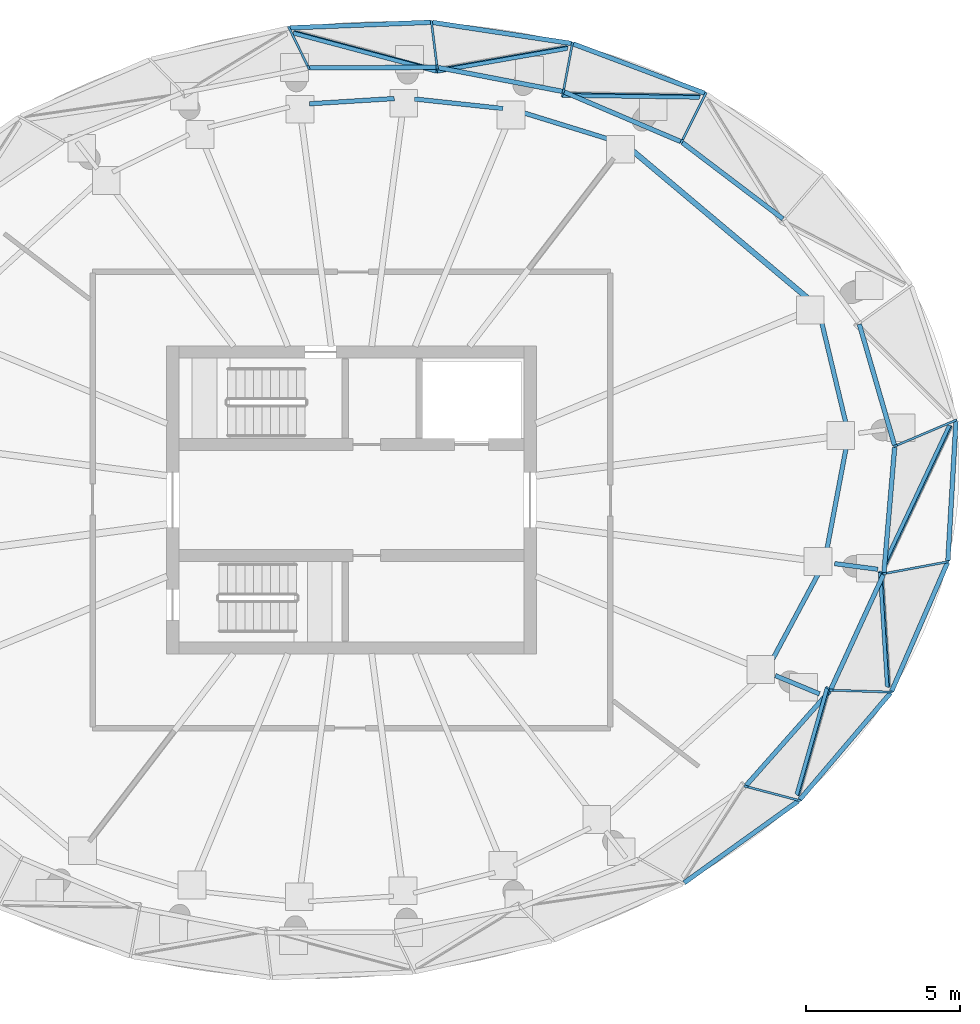
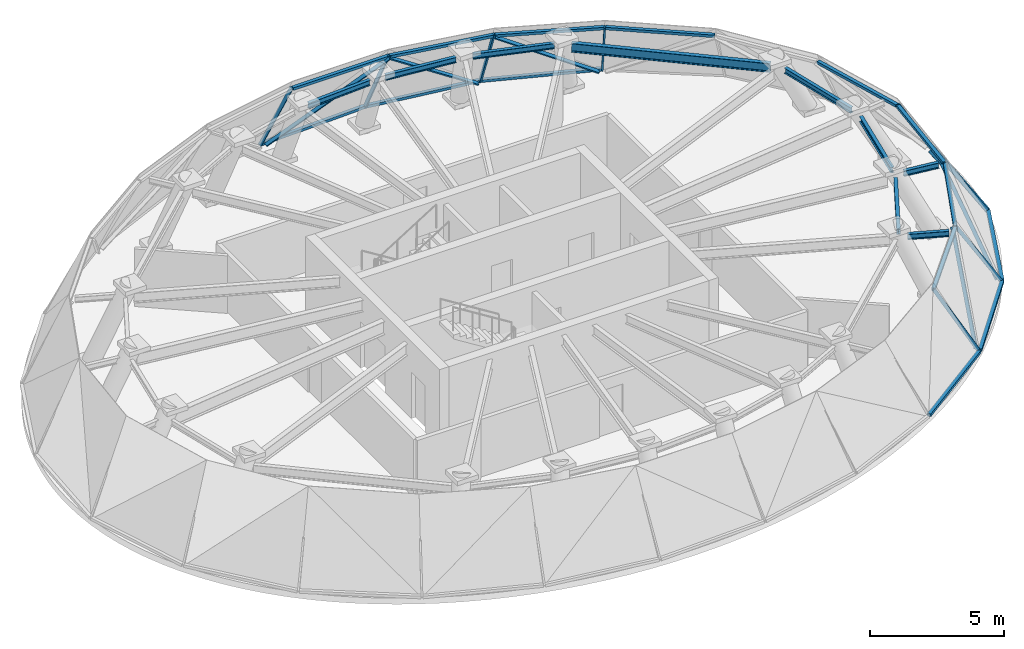
# One storey, part 4 of 9: 29 members, 9 beams, 16 elements without a shape of their own.
"""IFC4 building model written with IfcOpenShell, lengths in metres."""

from ifc_helpers import new_model, si_unit, direction, frame, origin, origin_2d, place, context, subcontext, project, spatial, rectangle, i_section, extrude, source, transform, mapped, material, layer, layer_set, material_profile, profile_set, type_object, element, aggregate, save


model = new_model("IFC4")

# Units and contexts
model_context = context("Model", 3, precision=1e-05, world=origin(), true_north=direction((0.0, 1.0)))
body_context = subcontext(model_context, "Body", "Model", "MODEL_VIEW")
ifc_project = project(units=[si_unit("LENGTHUNIT", "METRE"), si_unit("AREAUNIT", "SQUARE_METRE"), si_unit("VOLUMEUNIT", "CUBIC_METRE"), si_unit("PLANEANGLEUNIT", "RADIAN"), si_unit("MASSUNIT", "GRAM", prefix="KILO")], contexts=[model_context])

# Site, building, storey
site_placement = place(None, origin())
site = spatial("IfcSite", under=ifc_project, at=site_placement, CompositionType="ELEMENT")
building_placement = place(site_placement, origin())
building = spatial("IfcBuilding", under=site, at=building_placement, Name="Spindrift Exchange Tower", CompositionType="ELEMENT")
storey_placement = place(building_placement, frame((0.0, 0.0, 273.10009765625)))
storey = spatial("IfcBuildingStorey", under=building, at=storey_placement, Name="L67", CompositionType="ELEMENT", Elevation=273.10009765625)

# Beams
ifc_material_1 = material(Name="Steel Grade 300", Category="steel")
ifc_material_profile_1 = material_profile(ifc_material_1, i_section(OverallWidth=0.14599609375, OverallDepth=0.251953125, WebThickness=0.006103515625, FlangeThickness=0.008544921875, FilletRadius=0.011962890625, at=origin_2d()), Name="250UB31.4")
ifc_profile_set_1 = profile_set([ifc_material_profile_1], Name="Steel Grade 300")
beam_type_1 = type_object("IfcBeamType", Name="Cantilever Beam 250UB31.4 Steel Grade 300", PredefinedType="BEAM", material=ifc_profile_set_1)
shared_shape_1 = source(origin(), body_context, "Body", "SweptSolid", [
    extrude(i_section(OverallWidth=0.14599609375, OverallDepth=0.251953125, WebThickness=0.006103515625, FlangeThickness=0.008544921875, FilletRadius=0.011962890625, at=origin_2d()), origin(), (0.0, 0.0, 1.0), 1.552978515625),
])
beam_1_placement = place(storey_placement, frame((65.753662109375, 42.302978515625, 3.093994140625), z_axis=(0.923898045671, -0.382638734586, 0.0), x_axis=(0.382638734586, 0.923898045671, 0.0)))
element("IfcBeam", 1, at=beam_1_placement, inside=storey, type_object=beam_type_1, Name="L67 cantilever beam R23T", PredefinedType="BEAM", context=body_context, shape_type="MappedRepresentation", body=[
    mapped(shared_shape_1, transform((0.0, 0.0, 0.0), scale=1.0)),
])
shared_shape_2 = source(origin(), body_context, "Body", "SweptSolid", [
    extrude(i_section(OverallWidth=0.14599609375, OverallDepth=0.251953125, WebThickness=0.006103515625, FlangeThickness=0.008544921875, FilletRadius=0.011962890625, at=origin_2d()), origin(), (0.0, 0.0, 1.0), 1.412841796875),
])
beam_2_placement = place(storey_placement, frame((67.676025390625, 45.936279296875, 3.093994140625), z_axis=(0.991428984311, -0.130646733857, 0.0), x_axis=(0.130646733857, 0.991428984311, 0.0)))
element("IfcBeam", 2, at=beam_2_placement, inside=storey, type_object=beam_type_1, Name="L67 cantilever beam R24T", PredefinedType="BEAM", context=body_context, shape_type="MappedRepresentation", body=[
    mapped(shared_shape_2, transform((0.0, 0.0, 0.0), scale=1.0)),
])
ifc_material_profile_2 = material_profile(ifc_material_1, i_section(OverallWidth=0.14599609375, OverallDepth=0.251953125, WebThickness=0.006103515625, FlangeThickness=0.008544921875, FilletRadius=0.011962890625, at=origin_2d()), Name="250UB31.4")
ifc_profile_set_2 = profile_set([ifc_material_profile_2], Name="Steel Grade 300")
beam_type_2 = type_object("IfcBeamType", Name="Edge Beam 250UB31.4 Steel Grade 300", PredefinedType="SPANDREL", material=ifc_profile_set_2)
shared_shape_3 = source(origin(), body_context, "Body", "SweptSolid", [
    extrude(i_section(OverallWidth=0.14599609375, OverallDepth=0.251953125, WebThickness=0.006103515625, FlangeThickness=0.008544921875, FilletRadius=0.011962890625, at=origin_2d()), origin(), (0.0, 0.0, 1.0), 3.603759765625),
])
beam_3_placement = place(storey_placement, frame((68.0546875, 50.444580078125, 3.093994140625), z_axis=(-0.233454944562, 0.972367620224, 0.0), x_axis=(-0.972367620224, -0.233454944562, 0.0)))
element("IfcBeam", 3, at=beam_3_placement, inside=storey, type_object=beam_type_2, Name="L67 edge beam E01", PredefinedType="SPANDREL", context=body_context, shape_type="MappedRepresentation", body=[
    mapped(shared_shape_3, transform((0.0, 0.0, 0.0), scale=1.0)),
])
ifc_material_profile_3 = material_profile(ifc_material_1, i_section(OverallWidth=0.177978515625, OverallDepth=0.406005859375, WebThickness=0.0078125, FlangeThickness=0.0126953125, FilletRadius=0.013916015625, at=origin_2d()), Name="410UB59.7")
ifc_profile_set_3 = profile_set([ifc_material_profile_3], Name="Steel Grade 300")
beam_type_3 = type_object("IfcBeamType", Name="Edge Beam 410UB59.7 Steel Grade 300", PredefinedType="SPANDREL", material=ifc_profile_set_3)
shared_shape_4 = source(origin(), body_context, "Body", "SweptSolid", [
    extrude(i_section(OverallWidth=0.177978515625, OverallDepth=0.406005859375, WebThickness=0.0078125, FlangeThickness=0.0126953125, FilletRadius=0.013916015625, at=origin_2d()), origin(), (0.0, 0.0, 1.0), 7.540283203125),
])
beam_4_placement = place(storey_placement, frame((66.8837890625, 54.482177734375, 3.016845703125), z_axis=(-0.765043005757, 0.6439791917, 0.0), x_axis=(-0.6439791917, -0.765043005757, 0.0)))
element("IfcBeam", 4, at=beam_4_placement, inside=storey, type_object=beam_type_3, Name="L67 edge beam E02", PredefinedType="SPANDREL", context=body_context, shape_type="MappedRepresentation", body=[
    mapped(shared_shape_4, transform((0.0, 0.0, 0.0), scale=1.0)),
])
shared_shape_5 = source(origin(), body_context, "Body", "SweptSolid", [
    extrude(i_section(OverallWidth=0.14599609375, OverallDepth=0.251953125, WebThickness=0.006103515625, FlangeThickness=0.008544921875, FilletRadius=0.011962890625, at=origin_2d()), origin(), (0.0, 0.0, 1.0), 3.12451171875),
])
beam_5_placement = place(storey_placement, frame((60.547607421875, 59.647705078125, 3.093994140625), z_axis=(-0.955386205653, 0.295359438731, 0.0), x_axis=(-0.295359438731, -0.955386205653, 0.0)))
element("IfcBeam", 5, at=beam_5_placement, inside=storey, type_object=beam_type_2, Name="L67 edge beam E04", PredefinedType="SPANDREL", context=body_context, shape_type="MappedRepresentation", body=[
    mapped(shared_shape_5, transform((0.0, 0.0, 0.0), scale=1.0)),
])
shared_shape_6 = source(origin(), body_context, "Body", "SweptSolid", [
    extrude(i_section(OverallWidth=0.14599609375, OverallDepth=0.251953125, WebThickness=0.006103515625, FlangeThickness=0.008544921875, FilletRadius=0.011962890625, at=origin_2d()), origin(), (0.0, 0.0, 1.0), 2.889892578125),
])
beam_6_placement = place(storey_placement, frame((56.919189453125, 60.703125, 3.093994140625), z_axis=(-0.994281954884, 0.106786676096, 0.0), x_axis=(-0.106786676096, -0.994281954884, 0.0)))
element("IfcBeam", 6, at=beam_6_placement, inside=storey, type_object=beam_type_2, Name="L67 edge beam E05", PredefinedType="SPANDREL", context=body_context, shape_type="MappedRepresentation", body=[
    mapped(shared_shape_6, transform((0.0, 0.0, 0.0), scale=1.0)),
])
shared_shape_7 = source(origin(), body_context, "Body", "SweptSolid", [
    extrude(i_section(OverallWidth=0.14599609375, OverallDepth=0.251953125, WebThickness=0.006103515625, FlangeThickness=0.008544921875, FilletRadius=0.011962890625, at=origin_2d()), origin(), (0.0, 0.0, 1.0), 2.75390625),
])
beam_7_placement = place(storey_placement, frame((53.38818359375, 61.0263671875, 3.093994140625), z_axis=(-0.998088973279, -0.061793214992, 0.0), x_axis=(0.061793214992, -0.998088973279, 0.0)))
element("IfcBeam", 7, at=beam_7_placement, inside=storey, type_object=beam_type_2, Name="L67 edge beam E06", PredefinedType="SPANDREL", context=body_context, shape_type="MappedRepresentation", body=[
    mapped(shared_shape_7, transform((0.0, 0.0, 0.0), scale=1.0)),
])
shared_shape_8 = source(origin(), body_context, "Body", "SweptSolid", [
    extrude(i_section(OverallWidth=0.14599609375, OverallDepth=0.251953125, WebThickness=0.006103515625, FlangeThickness=0.008544921875, FilletRadius=0.011962890625, at=origin_2d()), origin(), (0.0, 0.0, 1.0), 3.36669921875),
])
beam_8_placement = place(storey_placement, frame((65.6044921875, 42.72021484375, 3.093994140625), z_axis=(0.471871221495, 0.881667482855, 0.0), x_axis=(-0.881667482855, 0.471871221495, 0.0)))
element("IfcBeam", 8, at=beam_8_placement, inside=storey, type_object=beam_type_2, Name="L67 edge beam E23", PredefinedType="SPANDREL", context=body_context, shape_type="MappedRepresentation", body=[
    mapped(shared_shape_8, transform((0.0, 0.0, 0.0), scale=1.0)),
])
shared_shape_9 = source(origin(), body_context, "Body", "SweptSolid", [
    extrude(i_section(OverallWidth=0.14599609375, OverallDepth=0.251953125, WebThickness=0.006103515625, FlangeThickness=0.008544921875, FilletRadius=0.011962890625, at=origin_2d()), origin(), (0.0, 0.0, 1.0), 3.5576171875),
])
beam_9_placement = place(storey_placement, frame((67.41015625, 46.3037109375, 3.093994140625), z_axis=(0.185626652558, 0.982620346757, 0.0), x_axis=(-0.982620346757, 0.185626652558, 0.0)))
element("IfcBeam", 9, at=beam_9_placement, inside=storey, type_object=beam_type_2, Name="L67 edge beam E24", PredefinedType="SPANDREL", context=body_context, shape_type="MappedRepresentation", body=[
    mapped(shared_shape_9, transform((0.0, 0.0, 0.0), scale=1.0)),
])

# Curtain wall, member
ifc_material_2 = material(Name="Fritted laminated glass with bronze frame", Category="glass")
ifc_layer = layer(ifc_material_2, 0.14990234375)
ifc_layer_set = layer_set([ifc_layer], Name="CROWN BRONZE RAKED GLAZED WALL")
curtain_wall_type = type_object("IfcCurtainWallType", Name="CROWN BRONZE RAKED GLAZED WALL", PredefinedType="NOTDEFINED", material=ifc_layer_set)
curtain_wall_1_placement = place(storey_placement, origin())
curtain_wall_1 = element("IfcCurtainWall", 10, at=curtain_wall_1_placement, inside=storey, type_object=curtain_wall_type, Name="L67 Crown Bronze Raked Glazed Wall facet 43", PredefinedType="NOTDEFINED")
ifc_material_3 = material(Name="Bronze anodised aluminium", Category="aluminium")
ifc_material_profile_4 = material_profile(ifc_material_3, rectangle(XDim=0.14990234375, YDim=0.1201171875, at=origin_2d()), Name="CROWN BRONZE RAKED GLAZED WALL TRANSOM 150X120")
ifc_profile_set_4 = profile_set([ifc_material_profile_4], Name="Bronze anodised aluminium")
member_type_1 = type_object("IfcMemberType", Name="CROWN BRONZE RAKED GLAZED WALL TRANSOM 150X120", PredefinedType="USERDEFINED", material=ifc_profile_set_4)
shared_shape_10 = source(origin(), body_context, "Body", "SweptSolid", [
    extrude(rectangle(XDim=0.14990234375, YDim=0.1201171875, at=origin_2d()), origin(), (0.0, 0.0, 1.0), 4.546630859375),
])
member_1_placement = place(storey_placement, frame((66.545166015625, 38.27783203125, 0.059814453125), z_axis=(0.648125255307, 0.761533750685, 0.0), x_axis=(-0.761533750685, 0.648125255307, 0.0)))
member_1 = element("IfcMember", 11, at=member_1_placement, type_object=member_type_1, Name="L67 transom CW-R.22a", ObjectType="TRANSOM", PredefinedType="USERDEFINED", context=body_context, shape_type="MappedRepresentation", body=[
    mapped(shared_shape_10, transform((0.0, 0.0, 0.0), scale=1.0)),
])

curtain_wall_2_placement = place(storey_placement, origin())
curtain_wall_2 = element("IfcCurtainWall", 12, at=curtain_wall_2_placement, inside=storey, type_object=curtain_wall_type, Name="L67 Crown Bronze Raked Glazed Wall facet 7", PredefinedType="NOTDEFINED")
shared_shape_11 = source(origin(), body_context, "Body", "SweptSolid", [
    extrude(rectangle(XDim=0.14990234375, YDim=0.1201171875, at=origin_2d()), origin(), (0.0, 0.0, 1.0), 4.55078125),
])
member_2_placement = place(storey_placement, frame((63.460693359375, 61.197265625, 0.059814453125), z_axis=(-0.93618358211, 0.351511451575, 0.0), x_axis=(-0.351511451575, -0.93618358211, 0.0)))
member_2 = element("IfcMember", 13, at=member_2_placement, type_object=member_type_1, Name="L67 transom CW-R.4a", ObjectType="TRANSOM", PredefinedType="USERDEFINED", context=body_context, shape_type="MappedRepresentation", body=[
    mapped(shared_shape_11, transform((0.0, 0.0, 0.0), scale=1.0)),
])

curtain_wall_3_placement = place(storey_placement, origin())
curtain_wall_3 = element("IfcCurtainWall", 14, at=curtain_wall_3_placement, inside=storey, type_object=curtain_wall_type, Name="L67 Crown Bronze Raked Glazed Wall facet 41", PredefinedType="NOTDEFINED")
member_3_placement = place(storey_placement, frame((62.795166015625, 35.579833984375, 0.059814453125), z_axis=(0.812822631171, 0.582511261914, 0.0), x_axis=(-0.582511261914, 0.812822631171, 0.0)))
member_3 = element("IfcMember", 15, at=member_3_placement, type_object=member_type_1, Name="L67 transom CW-R.21a", ObjectType="TRANSOM", PredefinedType="USERDEFINED", context=body_context, shape_type="MappedRepresentation", body=[
    mapped(shared_shape_11, transform((0.0, 0.0, 0.0), scale=1.0)),
])
aggregate(curtain_wall_3, [member_3])

curtain_wall_4_placement = place(storey_placement, origin())
curtain_wall_4 = element("IfcCurtainWall", 16, at=curtain_wall_4_placement, inside=storey, type_object=curtain_wall_type, Name="L67 Crown Bronze Raked Glazed Wall facet 9", PredefinedType="NOTDEFINED")
shared_shape_12 = source(origin(), body_context, "Body", "SweptSolid", [
    extrude(rectangle(XDim=0.14990234375, YDim=0.1201171875, at=origin_2d()), origin(), (0.0, 0.0, 1.0), 4.552734375),
])
member_4_placement = place(storey_placement, frame((59.133056640625, 62.814453125, 0.059814453125), z_axis=(-0.988728497465, 0.149719598922, 0.0), x_axis=(-0.149719598922, -0.988728497465, 0.0)))
member_4 = element("IfcMember", 17, at=member_4_placement, type_object=member_type_1, Name="L67 transom CW-R.5a", ObjectType="TRANSOM", PredefinedType="USERDEFINED", context=body_context, shape_type="MappedRepresentation", body=[
    mapped(shared_shape_12, transform((0.0, 0.0, 0.0), scale=1.0)),
])

curtain_wall_5_placement = place(storey_placement, origin())
curtain_wall_5 = element("IfcCurtainWall", 18, at=curtain_wall_5_placement, inside=storey, type_object=curtain_wall_type, Name="L67 Crown Bronze Raked Glazed Wall facet 11", PredefinedType="NOTDEFINED")
shared_shape_13 = source(origin(), body_context, "Body", "SweptSolid", [
    extrude(rectangle(XDim=0.14990234375, YDim=0.1201171875, at=origin_2d()), origin(), (0.0, 0.0, 1.0), 4.553955078125),
])
member_5_placement = place(storey_placement, frame((50.01171875, 63.3203125, 0.059814453125), z_axis=(0.999221211639, 0.03945846184, 0.0), x_axis=(-0.03945846184, 0.999221211639, 0.0)))
member_5 = element("IfcMember", 19, at=member_5_placement, type_object=member_type_1, Name="L67 transom CW-R.6a", ObjectType="TRANSOM", PredefinedType="USERDEFINED", context=body_context, shape_type="MappedRepresentation", body=[
    mapped(shared_shape_13, transform((0.0, 0.0, 0.0), scale=1.0)),
])

curtain_wall_6_placement = place(storey_placement, origin())
curtain_wall_6 = element("IfcCurtainWall", 20, at=curtain_wall_6_placement, inside=storey, type_object=curtain_wall_type, Name="L67 Crown Bronze Raked Glazed Wall facet 45", PredefinedType="NOTDEFINED")
shared_shape_14 = source(origin(), body_context, "Body", "SweptSolid", [
    extrude(rectangle(XDim=0.14990234375, YDim=0.1201171875, at=origin_2d()), origin(), (0.0, 0.0, 1.0), 4.539794921875),
])
member_6_placement = place(storey_placement, frame((69.528564453125, 41.799072265625, 0.059814453125), z_axis=(0.39826985827, 0.917268292264, 0.0), x_axis=(-0.917268292264, 0.39826985827, 0.0)))
member_6 = element("IfcMember", 21, at=member_6_placement, type_object=member_type_1, Name="L67 transom CW-R.23a", ObjectType="TRANSOM", PredefinedType="USERDEFINED", context=body_context, shape_type="MappedRepresentation", body=[
    mapped(shared_shape_14, transform((0.0, 0.0, 0.0), scale=1.0)),
])

curtain_wall_7_placement = place(storey_placement, origin())
curtain_wall_7 = element("IfcCurtainWall", 22, at=curtain_wall_7_placement, inside=storey, type_object=curtain_wall_type, Name="L67 Crown Bronze Raked Glazed Wall facet 47", PredefinedType="NOTDEFINED")
shared_shape_15 = source(origin(), body_context, "Body", "SweptSolid", [
    extrude(rectangle(XDim=0.14990234375, YDim=0.1201171875, at=origin_2d()), origin(), (0.0, 0.0, 1.0), 4.533447265625),
])
member_7_placement = place(storey_placement, frame((71.615234375, 50.55615234375, 0.059814453125), z_axis=(-0.057891740308, -0.998322866814, 0.0), x_axis=(0.998322866814, -0.057891740308, 0.0)))
member_7 = element("IfcMember", 23, at=member_7_placement, type_object=member_type_1, Name="L67 transom CW-R.24a", ObjectType="TRANSOM", PredefinedType="USERDEFINED", context=body_context, shape_type="MappedRepresentation", body=[
    mapped(shared_shape_15, transform((0.0, 0.0, 0.0), scale=1.0)),
])

curtain_wall_8_placement = place(storey_placement, origin())
curtain_wall_8 = element("IfcCurtainWall", 24, at=curtain_wall_8_placement, inside=storey, type_object=curtain_wall_type, Name="L67 Crown Bronze Raked Glazed Wall facet 2", PredefinedType="NOTDEFINED")
shared_shape_16 = source(origin(), body_context, "Body", "SweptSolid", [
    extrude(rectangle(XDim=0.14990234375, YDim=0.1201171875, at=origin_2d()), origin(), (0.0, 0.0, 1.0), 4.083740234375),
])
member_8_placement = place(storey_placement, frame((69.61962890625, 49.781494140625, 3.159912109375), z_axis=(-0.279187231676, 0.960236684193, 0.0), x_axis=(-0.960236684193, -0.279187231676, 0.0)))
member_8 = element("IfcMember", 25, at=member_8_placement, type_object=member_type_1, Name="L67 transom CW-R.1b", ObjectType="TRANSOM", PredefinedType="USERDEFINED", context=body_context, shape_type="MappedRepresentation", body=[
    mapped(shared_shape_16, transform((0.0, 0.0, 0.0), scale=1.0)),
])

curtain_wall_9_placement = place(storey_placement, origin())
curtain_wall_9 = element("IfcCurtainWall", 26, at=curtain_wall_9_placement, inside=storey, type_object=curtain_wall_type, Name="L67 Crown Bronze Raked Glazed Wall facet 48", PredefinedType="NOTDEFINED")
member_9_placement = place(storey_placement, frame((69.626220703125, 49.713134765625, 3.159912109375), z_axis=(-0.085133222011, -0.99636957727, 0.0), x_axis=(0.99636957727, -0.085133222011, 0.0)))
member_9 = element("IfcMember", 27, at=member_9_placement, type_object=member_type_1, Name="L67 transom CW-R.24b", ObjectType="TRANSOM", PredefinedType="USERDEFINED", context=body_context, shape_type="MappedRepresentation", body=[
    mapped(shared_shape_16, transform((0.0, 0.0, 0.0), scale=1.0)),
])

# Member
ifc_material_profile_5 = material_profile(ifc_material_3, rectangle(XDim=0.070068359375, YDim=0.14990234375, at=origin_2d()), Name="CROWN BRONZE RAKED GLAZED WALL MULLION 70X150")
ifc_profile_set_5 = profile_set([ifc_material_profile_5], Name="Bronze anodised aluminium")
member_type_2 = type_object("IfcMemberType", Name="CROWN BRONZE RAKED GLAZED WALL MULLION 70X150", PredefinedType="MULLION", material=ifc_profile_set_5)
shared_shape_17 = source(origin(), body_context, "Body", "SweptSolid", [
    extrude(rectangle(XDim=0.070068359375, YDim=0.14990234375, at=origin_2d()), origin(), (0.0, 0.0, 1.0), 3.7763671875),
])
member_10_placement = place(storey_placement, frame((71.59130859375, 50.580078125, 0.041748046875), z_axis=(-0.512732068649, -0.217479596386, 0.830547079301), x_axis=(0.390484264411, -0.920609601974, 0.0)))
member_10 = element("IfcMember", 28, at=member_10_placement, type_object=member_type_2, Name="L67 mullion CW-R.1", PredefinedType="MULLION", context=body_context, shape_type="MappedRepresentation", body=[
    mapped(shared_shape_17, transform((0.0, 0.0, 0.0), scale=1.0)),
])

aggregate(curtain_wall_8, [member_8, member_10])

# Curtain wall, member
curtain_wall_10_placement = place(storey_placement, origin())
curtain_wall_10 = element("IfcCurtainWall", 29, at=curtain_wall_10_placement, inside=storey, type_object=curtain_wall_type, Name="L67 Crown Bronze Raked Glazed Wall facet 46", PredefinedType="NOTDEFINED")
shared_shape_18 = source(origin(), body_context, "Body", "SweptSolid", [
    extrude(rectangle(XDim=0.14990234375, YDim=0.1201171875, at=origin_2d()), origin(), (0.0, 0.0, 1.0), 4.0888671875),
])
member_11_placement = place(storey_placement, frame((67.556396484375, 41.861083984375, 3.159912109375), z_axis=(0.416891135404, 0.90895642427, 0.0), x_axis=(-0.90895642427, 0.416891135404, 0.0)))
member_11 = element("IfcMember", 30, at=member_11_placement, type_object=member_type_1, Name="L67 transom CW-R.23b", ObjectType="TRANSOM", PredefinedType="USERDEFINED", context=body_context, shape_type="MappedRepresentation", body=[
    mapped(shared_shape_18, transform((0.0, 0.0, 0.0), scale=1.0)),
])

curtain_wall_11_placement = place(storey_placement, origin())
curtain_wall_11 = element("IfcCurtainWall", 31, at=curtain_wall_11_placement, inside=storey, type_object=curtain_wall_type, Name="L67 Crown Bronze Raked Glazed Wall facet 6", PredefinedType="NOTDEFINED")
shared_shape_19 = source(origin(), body_context, "Body", "SweptSolid", [
    extrude(rectangle(XDim=0.14990234375, YDim=0.1201171875, at=origin_2d()), origin(), (0.0, 0.0, 1.0), 4.09423828125),
])
member_12_placement = place(storey_placement, frame((62.737548828125, 59.59814453125, 3.159912109375), z_axis=(0.796718002417, -0.604351242759, 0.0), x_axis=(0.604351242759, 0.796718002417, 0.0)))
member_12 = element("IfcMember", 32, at=member_12_placement, type_object=member_type_1, Name="L67 transom CW-R.3b", ObjectType="TRANSOM", PredefinedType="USERDEFINED", context=body_context, shape_type="MappedRepresentation", body=[
    mapped(shared_shape_19, transform((0.0, 0.0, 0.0), scale=1.0)),
])
aggregate(curtain_wall_11, [member_12])

# Curtain wall, members
curtain_wall_12_placement = place(storey_placement, origin())
curtain_wall_12 = element("IfcCurtainWall", 33, at=curtain_wall_12_placement, inside=storey, type_object=curtain_wall_type, Name="L67 Crown Bronze Raked Glazed Wall facet 8", PredefinedType="NOTDEFINED")
shared_shape_20 = source(origin(), body_context, "Body", "SweptSolid", [
    extrude(rectangle(XDim=0.14990234375, YDim=0.1201171875, at=origin_2d()), origin(), (0.0, 0.0, 1.0), 4.097900390625),
])
member_13_placement = place(storey_placement, frame((62.677490234375, 59.633056640625, 3.159912109375), z_axis=(-0.91998419877, 0.391955449016, 0.0), x_axis=(-0.391955449016, -0.91998419877, 0.0)))
member_13 = element("IfcMember", 34, at=member_13_placement, type_object=member_type_1, Name="L67 transom CW-R.4b", ObjectType="TRANSOM", PredefinedType="USERDEFINED", context=body_context, shape_type="MappedRepresentation", body=[
    mapped(shared_shape_20, transform((0.0, 0.0, 0.0), scale=1.0)),
])
shared_shape_21 = source(origin(), body_context, "Body", "SweptSolid", [
    extrude(rectangle(XDim=0.070068359375, YDim=0.14990234375, at=origin_2d()), origin(), (0.0, 0.0, 1.0), 3.583740234375),
])
member_14_placement = place(storey_placement, frame((63.484619140625, 61.16748046875, 0.03564453125), z_axis=(-0.213777896115, -0.427147039082, 0.878546764912), x_axis=(0.894255976032, -0.447555861689, 0.0)))
member_14 = element("IfcMember", 35, at=member_14_placement, type_object=member_type_2, Name="L67 mullion CW-R.4", PredefinedType="MULLION", context=body_context, shape_type="MappedRepresentation", body=[
    mapped(shared_shape_21, transform((0.0, 0.0, 0.0), scale=1.0)),
])
aggregate(curtain_wall_12, [member_13, member_14])

# Member
shared_shape_22 = source(origin(), body_context, "Body", "SweptSolid", [
    extrude(rectangle(XDim=0.070068359375, YDim=0.14990234375, at=origin_2d()), origin(), (0.0, 0.0, 1.0), 5.415283203125),
])
member_15_placement = place(storey_placement, frame((63.284912109375, 61.080810546875, 0.0615234375), z_axis=(-0.820246628487, 0.012082340136, 0.571882405318), x_axis=(0.475028236605, -0.542574093096, 0.692792557646)))
member_15 = element("IfcMember", 36, at=member_15_placement, type_object=member_type_2, Name="L67 glazing bar CW-R.4", PredefinedType="MULLION", context=body_context, shape_type="MappedRepresentation", body=[
    mapped(shared_shape_22, transform((0.0, 0.0, 0.0), scale=1.0)),
])

aggregate(curtain_wall_2, [member_2, member_15])

# Curtain wall, members
curtain_wall_13_placement = place(storey_placement, origin())
curtain_wall_13 = element("IfcCurtainWall", 37, at=curtain_wall_13_placement, inside=storey, type_object=curtain_wall_type, Name="L67 Crown Bronze Raked Glazed Wall facet 10", PredefinedType="NOTDEFINED")
shared_shape_23 = source(origin(), body_context, "Body", "SweptSolid", [
    extrude(rectangle(XDim=0.14990234375, YDim=0.1201171875, at=origin_2d()), origin(), (0.0, 0.0, 1.0), 4.099609375),
])
member_16_placement = place(storey_placement, frame((58.8408203125, 61.259521484375, 3.159912109375), z_axis=(-0.982054412804, 0.188597800337, 0.0), x_axis=(-0.188597800337, -0.982054412804, 0.0)))
member_16 = element("IfcMember", 38, at=member_16_placement, type_object=member_type_1, Name="L67 transom CW-R.5b", ObjectType="TRANSOM", PredefinedType="USERDEFINED", context=body_context, shape_type="MappedRepresentation", body=[
    mapped(shared_shape_23, transform((0.0, 0.0, 0.0), scale=1.0)),
])
shared_shape_24 = source(origin(), body_context, "Body", "SweptSolid", [
    extrude(rectangle(XDim=0.070068359375, YDim=0.14990234375, at=origin_2d()), origin(), (0.0, 0.0, 1.0), 3.5146484375),
])
member_17_placement = place(storey_placement, frame((59.16455078125, 62.793212890625, 0.032958984375), z_axis=(-0.081413265478, -0.433740980923, 0.897352016587), x_axis=(0.982836529698, -0.18447860551, 0.0)))
member_17 = element("IfcMember", 39, at=member_17_placement, type_object=member_type_2, Name="L67 mullion CW-R.5", PredefinedType="MULLION", context=body_context, shape_type="MappedRepresentation", body=[
    mapped(shared_shape_24, transform((0.0, 0.0, 0.0), scale=1.0)),
])
aggregate(curtain_wall_13, [member_16, member_17])

# Member
shared_shape_25 = source(origin(), body_context, "Body", "SweptSolid", [
    extrude(rectangle(XDim=0.070068359375, YDim=0.14990234375, at=origin_2d()), origin(), (0.0, 0.0, 1.0), 5.28857421875),
])
member_18_placement = place(storey_placement, frame((58.996826171875, 62.667724609375, 0.060791015625), z_axis=(-0.798215463194, -0.140060477435, 0.585862728784), x_axis=(0.586025474917, -0.405600790039, 0.70147141201)))
member_18 = element("IfcMember", 40, at=member_18_placement, type_object=member_type_2, Name="L67 glazing bar CW-R.5", PredefinedType="MULLION", context=body_context, shape_type="MappedRepresentation", body=[
    mapped(shared_shape_25, transform((0.0, 0.0, 0.0), scale=1.0)),
])

aggregate(curtain_wall_4, [member_4, member_18])

# Curtain wall, member
curtain_wall_14_placement = place(storey_placement, origin())
curtain_wall_14 = element("IfcCurtainWall", 41, at=curtain_wall_14_placement, inside=storey, type_object=curtain_wall_type, Name="L67 Crown Bronze Raked Glazed Wall facet 12", PredefinedType="NOTDEFINED")
shared_shape_26 = source(origin(), body_context, "Body", "SweptSolid", [
    extrude(rectangle(XDim=0.14990234375, YDim=0.1201171875, at=origin_2d()), origin(), (0.0, 0.0, 1.0), 4.100341796875),
])
member_19_placement = place(storey_placement, frame((50.64501953125, 62.0205078125, 3.159912109375), z_axis=(0.999989490439, 0.004584649644, 0.0), x_axis=(-0.004584649644, 0.999989490439, 0.0)))
member_19 = element("IfcMember", 42, at=member_19_placement, type_object=member_type_1, Name="L67 transom CW-R.6b", ObjectType="TRANSOM", PredefinedType="USERDEFINED", context=body_context, shape_type="MappedRepresentation", body=[
    mapped(shared_shape_26, transform((0.0, 0.0, 0.0), scale=1.0)),
])

# Member
shared_shape_27 = source(origin(), body_context, "Body", "SweptSolid", [
    extrude(rectangle(XDim=0.070068359375, YDim=0.14990234375, at=origin_2d()), origin(), (0.0, 0.0, 1.0), 3.47265625),
])
member_20_placement = place(storey_placement, frame((54.5986328125, 63.4873046875, 0.031005859375), z_axis=(0.051815150488, -0.412833872, 0.909331284136), x_axis=(0.99221536078, 0.124533842114, 0.0)))
member_20 = element("IfcMember", 43, at=member_20_placement, type_object=member_type_2, Name="L67 mullion CW-R.6", PredefinedType="MULLION", context=body_context, shape_type="MappedRepresentation", body=[
    mapped(shared_shape_27, transform((0.0, 0.0, 0.0), scale=1.0)),
])

aggregate(curtain_wall_5, [member_5, member_20])

shared_shape_28 = source(origin(), body_context, "Body", "SweptSolid", [
    extrude(rectangle(XDim=0.070068359375, YDim=0.14990234375, at=origin_2d()), origin(), (0.0, 0.0, 1.0), 5.691650390625),
])
member_21_placement = place(storey_placement, frame((50.142822265625, 63.157470703125, 0.062744140625), z_axis=(0.811021414393, -0.216063620051, 0.543655016979), x_axis=(0.584983431508, 0.309392514477, -0.749713716592)))
member_21 = element("IfcMember", 44, at=member_21_placement, type_object=member_type_2, Name="L67 glazing bar CW-R.6", PredefinedType="MULLION", context=body_context, shape_type="MappedRepresentation", body=[
    mapped(shared_shape_28, transform((0.0, 0.0, 0.0), scale=1.0)),
])

aggregate(curtain_wall_14, [member_19, member_21])

# Curtain wall, member
curtain_wall_15_placement = place(storey_placement, origin())
curtain_wall_15 = element("IfcCurtainWall", 45, at=curtain_wall_15_placement, inside=storey, type_object=curtain_wall_type, Name="L67 Crown Bronze Raked Glazed Wall facet 14", PredefinedType="NOTDEFINED")
shared_shape_29 = source(origin(), body_context, "Body", "SweptSolid", [
    extrude(rectangle(XDim=0.070068359375, YDim=0.14990234375, at=origin_2d()), origin(), (0.0, 0.0, 1.0), 3.462158203125),
])
member_22_placement = place(storey_placement, frame((49.982666015625, 63.306640625, 0.030517578125), z_axis=(0.179467431051, -0.367961121895, 0.912357415691), x_axis=(0.898793275814, 0.438372726514, 0.0)))
member_22 = element("IfcMember", 46, at=member_22_placement, type_object=member_type_2, Name="L67 mullion CW-R.7", PredefinedType="MULLION", context=body_context, shape_type="MappedRepresentation", body=[
    mapped(shared_shape_29, transform((0.0, 0.0, 0.0), scale=1.0)),
])
aggregate(curtain_wall_15, [member_22])

# Curtain wall, members
curtain_wall_16_placement = place(storey_placement, origin())
curtain_wall_16 = element("IfcCurtainWall", 47, at=curtain_wall_16_placement, inside=storey, type_object=curtain_wall_type, Name="L67 Crown Bronze Raked Glazed Wall facet 44", PredefinedType="NOTDEFINED")
shared_shape_30 = source(origin(), body_context, "Body", "SweptSolid", [
    extrude(rectangle(XDim=0.14990234375, YDim=0.1201171875, at=origin_2d()), origin(), (0.0, 0.0, 1.0), 4.094482421875),
])
member_23_placement = place(storey_placement, frame((64.805908203125, 38.736083984375, 3.159912109375), z_axis=(0.662522417802, 0.74904208554, 0.0), x_axis=(-0.74904208554, 0.662522417802, 0.0)))
member_23 = element("IfcMember", 48, at=member_23_placement, type_object=member_type_1, Name="L67 transom CW-R.22b", ObjectType="TRANSOM", PredefinedType="USERDEFINED", context=body_context, shape_type="MappedRepresentation", body=[
    mapped(shared_shape_30, transform((0.0, 0.0, 0.0), scale=1.0)),
])
shared_shape_31 = source(origin(), body_context, "Body", "SweptSolid", [
    extrude(rectangle(XDim=0.070068359375, YDim=0.14990234375, at=origin_2d()), origin(), (0.0, 0.0, 1.0), 3.604736328125),
])
member_24_placement = place(storey_placement, frame((66.502685546875, 38.25634765625, 0.03662109375), z_axis=(-0.471667531282, 0.12435117568, 0.872964217503), x_axis=(-0.254930690305, -0.966959328587, 0.0)))
member_24 = element("IfcMember", 49, at=member_24_placement, type_object=member_type_2, Name="L67 mullion CW-R.22", PredefinedType="MULLION", context=body_context, shape_type="MappedRepresentation", body=[
    mapped(shared_shape_31, transform((0.0, 0.0, 0.0), scale=1.0)),
])
aggregate(curtain_wall_16, [member_23, member_24])

# Member
shared_shape_32 = source(origin(), body_context, "Body", "SweptSolid", [
    extrude(rectangle(XDim=0.070068359375, YDim=0.14990234375, at=origin_2d()), origin(), (0.0, 0.0, 1.0), 4.746826171875),
])
member_25_placement = place(storey_placement, frame((66.469482421875, 38.447998046875, 0.056640625), z_axis=(0.207168022641, 0.727196790496, 0.654420536266), x_axis=(-0.689686616962, -0.365862767273, 0.624881433479)))
member_25 = element("IfcMember", 50, at=member_25_placement, type_object=member_type_2, Name="L67 glazing bar CW-R.22", PredefinedType="MULLION", context=body_context, shape_type="MappedRepresentation", body=[
    mapped(shared_shape_32, transform((0.0, 0.0, 0.0), scale=1.0)),
])

aggregate(curtain_wall_1, [member_1, member_25])

shared_shape_33 = source(origin(), body_context, "Body", "SweptSolid", [
    extrude(rectangle(XDim=0.070068359375, YDim=0.14990234375, at=origin_2d()), origin(), (0.0, 0.0, 1.0), 3.684814453125),
])
member_26_placement = place(storey_placement, frame((69.490478515625, 41.767578125, 0.0390625), z_axis=(-0.522354214469, 0.016497488509, 0.852569004539), x_axis=(-0.031567212862, -0.99950163135, 0.0)))
member_26 = element("IfcMember", 51, at=member_26_placement, type_object=member_type_2, Name="L67 mullion CW-R.23", PredefinedType="MULLION", context=body_context, shape_type="MappedRepresentation", body=[
    mapped(shared_shape_33, transform((0.0, 0.0, 0.0), scale=1.0)),
])

aggregate(curtain_wall_10, [member_11, member_26])

shared_shape_34 = source(origin(), body_context, "Body", "SweptSolid", [
    extrude(rectangle(XDim=0.070068359375, YDim=0.14990234375, at=origin_2d()), origin(), (0.0, 0.0, 1.0), 4.83984375),
])
member_27_placement = place(storey_placement, frame((69.402587890625, 41.950439453125, 0.057373046875), z_axis=(-0.047619713285, 0.765597869202, 0.641554569448), x_axis=(-0.580900595555, -0.54372583669, 0.605736504265)))
member_27 = element("IfcMember", 52, at=member_27_placement, type_object=member_type_2, Name="L67 glazing bar CW-R.23", PredefinedType="MULLION", context=body_context, shape_type="MappedRepresentation", body=[
    mapped(shared_shape_34, transform((0.0, 0.0, 0.0), scale=1.0)),
])

aggregate(curtain_wall_6, [member_6, member_27])

shared_shape_35 = source(origin(), body_context, "Body", "SweptSolid", [
    extrude(rectangle(XDim=0.070068359375, YDim=0.14990234375, at=origin_2d()), origin(), (0.0, 0.0, 1.0), 3.751708984375),
])
member_28_placement = place(storey_placement, frame((71.32421875, 45.990478515625, 0.041015625), z_axis=(-0.53899849127, -0.100277275751, 0.836316384137), x_axis=(0.182905248236, -0.983130545842, 0.0)))
member_28 = element("IfcMember", 53, at=member_28_placement, type_object=member_type_2, Name="L67 mullion CW-R.24", PredefinedType="MULLION", context=body_context, shape_type="MappedRepresentation", body=[
    mapped(shared_shape_35, transform((0.0, 0.0, 0.0), scale=1.0)),
])

aggregate(curtain_wall_7, [member_7, member_28])

shared_shape_36 = source(origin(), body_context, "Body", "SweptSolid", [
    extrude(rectangle(XDim=0.070068359375, YDim=0.14990234375, at=origin_2d()), origin(), (0.0, 0.0, 1.0), 6.12060546875),
])
member_29_placement = place(storey_placement, frame((71.414306640625, 50.402099609375, 0.064697265625), z_axis=(-0.367168862721, -0.781166214832, 0.504941948201), x_axis=(0.353042447331, -0.619274093482, -0.701327760413)))
member_29 = element("IfcMember", 54, at=member_29_placement, type_object=member_type_2, Name="L67 glazing bar CW-R.24", PredefinedType="MULLION", context=body_context, shape_type="MappedRepresentation", body=[
    mapped(shared_shape_36, transform((0.0, 0.0, 0.0), scale=1.0)),
])

aggregate(curtain_wall_9, [member_9, member_29])

save(model, "model.ifc")
